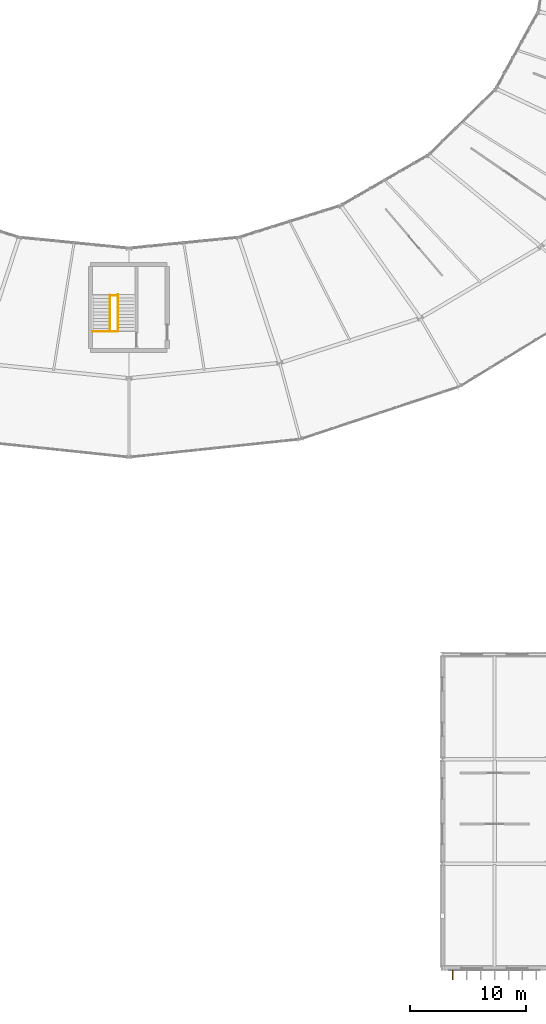
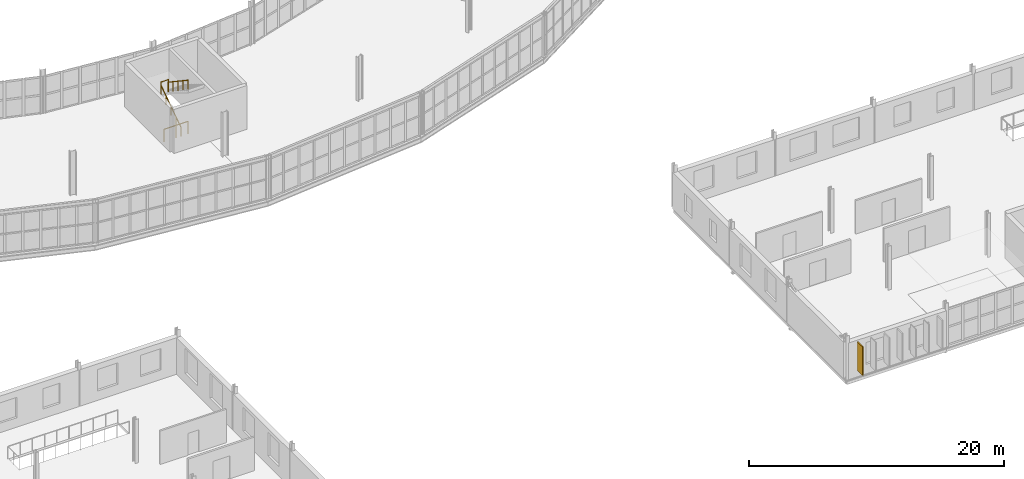
# One storey, part 153 of 161: 4 railings, 1 shading device.
"""IFC4 building model written with IfcOpenShell, lengths in metres."""

from ifc_helpers import new_model, si_unit, direction, frame, origin, origin_2d, place, context, subcontext, project, spatial, rectangle, circle, extrude, material, layer, layer_set, type_object, element, save


model = new_model("IFC4")

# Units and contexts
model_context = context("Model", 3, precision=1e-05, world=origin(), true_north=direction((0.0, 1.0)))
body_context = subcontext(model_context, "Body", "Model", "MODEL_VIEW")
ifc_project = project(units=[si_unit("LENGTHUNIT", "METRE"), si_unit("AREAUNIT", "SQUARE_METRE"), si_unit("VOLUMEUNIT", "CUBIC_METRE"), si_unit("PLANEANGLEUNIT", "RADIAN"), si_unit("MASSUNIT", "GRAM", prefix="KILO")], contexts=[model_context])

# Site, building, storey
site_placement = place(None, origin())
site = spatial("IfcSite", under=ifc_project, at=site_placement, CompositionType="ELEMENT")
building_placement = place(site_placement, origin())
building = spatial("IfcBuilding", under=site, at=building_placement, Name="Kildeholm Park Wholesale Market", CompositionType="ELEMENT")
storey_placement = place(building_placement, frame((0.0, 0.0, 5.39990234375)))
storey = spatial("IfcBuildingStorey", under=building, at=storey_placement, Name="L01", CompositionType="ELEMENT", Elevation=5.39990234375)

# Shading device
ifc_material_1 = material(Name="Glazed ceramic and anodised aluminium brise-soleil", Category="aluminium")
ifc_layer = layer(ifc_material_1, 0.090087890625)
ifc_layer_set = layer_set([ifc_layer], Name="Glazed ceramic and anodised aluminium brise-soleil")
shading_device_type = type_object("IfcShadingDeviceType", Name="Brise-soleil solar fin SH-FIN2 850x90", PredefinedType="USERDEFINED", material=ifc_layer_set)
shading_device_placement = place(storey_placement, frame((126.89990234375, -0.60498046875, 0.60009765625), z_axis=(0.0, 0.0, 1.0), x_axis=(0.0, -1.0, 0.0)))
element("IfcShadingDevice", 1, at=shading_device_placement, inside=storey, type_object=shading_device_type, Name="Brise-soleil fin V5E-L01-S01-01.1 SHD-0133", ObjectType="SOLAR FIN", PredefinedType="USERDEFINED", context=body_context, shape_type="SweptSolid", body=[
    extrude(rectangle(XDim=0.85009765625, YDim=0.090087890625, at=origin_2d()), origin(), (0.0, 0.0, 1.0), 2.75),
])

# Railings
ifc_material_2 = material(Name="Painted steel and laminated glass balustrade", Category="steel")
railing_type_1 = type_object("IfcRailingType", Name="Interior gallery and stairwell guard GR-IN1 1200 mm", PredefinedType="GUARDRAIL", material=ifc_material_2)
railing_1_placement = place(storey_placement, frame((95.860107421875, 54.830078125, 0.0)))
element("IfcRailing", 2, at=railing_1_placement, inside=storey, type_object=railing_type_1, Name="Stair C10 upper floor well guard L01 RLG-0115", PredefinedType="GUARDRAIL", context=body_context, shape_type="SweptSolid", body=[
    extrude(circle(Radius=0.02392578125, at=origin_2d()), frame((0.0, 0.0, 1.17578125), z_axis=(1.0, 0.0, 0.0), x_axis=(0.0, 1.0, 0.0)), (0.0, 0.0, 1.0), 2.14990234375),
    extrude(circle(Radius=0.02099609375, at=origin_2d()), origin(), (0.0, 0.0, 1.0), 1.15185546875),
    extrude(circle(Radius=0.02099609375, at=origin_2d()), frame((1.074951171875, 0.0, 0.0)), (0.0, 0.0, 1.0), 1.15185546875),
    extrude(circle(Radius=0.02099609375, at=origin_2d()), frame((2.14990234375, 0.0, 0.0)), (0.0, 0.0, 1.0), 1.15185546875),
])
railing_2_placement = place(storey_placement, frame((97.360107421875, 57.945068359375, 2.10009765625)))
element("IfcRailing", 3, at=railing_2_placement, inside=storey, type_object=railing_type_1, Name="Stair C10 half-landing well guard L01 RLG-0118", PredefinedType="GUARDRAIL", context=body_context, shape_type="SweptSolid", body=[
    extrude(circle(Radius=0.02392578125, at=origin_2d()), frame((0.0, 0.0, 1.17578125), z_axis=(1.0, 0.0, 0.0), x_axis=(0.0, 1.0, 0.0)), (0.0, 0.0, 1.0), 0.68994140625),
    extrude(circle(Radius=0.02099609375, at=origin_2d()), origin(), (0.0, 0.0, 1.0), 1.15185546875),
    extrude(circle(Radius=0.02099609375, at=origin_2d()), frame((0.68994140625, 0.0, 0.0)), (0.0, 0.0, 1.0), 1.15185546875),
])
ifc_material_3 = material(Name="Stainless steel AISI 316 handrail", Category="steel")
railing_type_2 = type_object("IfcRailingType", Name="Stair flight handrail HR-IN1 900 mm", PredefinedType="HANDRAIL", material=ifc_material_3)
railing_3_placement = place(storey_placement, frame((97.360107421875, 54.820068359375, 0.0)))
element("IfcRailing", 4, at=railing_3_placement, inside=storey, type_object=railing_type_2, Name="Stair C10 flight 1 handrail L01 RLG-0120", PredefinedType="HANDRAIL", context=body_context, shape_type="SweptSolid", body=[
    extrude(circle(Radius=0.02392578125, at=origin_2d()), frame((0.0, 0.0, 0.8759765625), z_axis=(0.0, 0.830813955726, 0.556550241192), x_axis=(-1.0, 0.0, 0.0)), (0.0, 0.0, 1.0), 3.7734375),
    extrude(circle(Radius=0.02099609375, at=origin_2d()), origin(), (0.0, 0.0, 1.0), 0.851806640625),
    extrude(circle(Radius=0.02099609375, at=origin_2d()), frame((0.0, 0.78369140625, 0.52490234375)), (0.0, 0.0, 1.0), 0.851806640625),
    extrude(circle(Radius=0.02099609375, at=origin_2d()), frame((0.0, 1.5673828125, 1.050048828125)), (0.0, 0.0, 1.0), 0.851806640625),
    extrude(circle(Radius=0.02099609375, at=origin_2d()), frame((0.0, 2.351318359375, 1.5751953125)), (0.0, 0.0, 1.0), 0.851806640625),
    extrude(circle(Radius=0.02099609375, at=origin_2d()), frame((0.0, 3.135009765625, 2.10009765625)), (0.0, 0.0, 1.0), 0.851806640625),
])
railing_4_placement = place(storey_placement, frame((98.050048828125, 58.014892578125, 2.10009765625)))
element("IfcRailing", 5, at=railing_4_placement, inside=storey, type_object=railing_type_2, Name="Stair C10 flight 2 handrail L01 RLG-0121", PredefinedType="HANDRAIL", context=body_context, shape_type="SweptSolid", body=[
    extrude(circle(Radius=0.02392578125, at=origin_2d()), frame((0.0, 0.0, 0.8759765625), z_axis=(0.0, -0.830813955726, 0.556550241192), x_axis=(1.0, 0.0, 0.0)), (0.0, 0.0, 1.0), 3.7734375),
    extrude(circle(Radius=0.02099609375, at=origin_2d()), origin(), (0.0, 0.0, 1.0), 0.851806640625),
    extrude(circle(Radius=0.02099609375, at=origin_2d()), frame((0.0, -0.78369140625, 0.52490234375)), (0.0, 0.0, 1.0), 0.851806640625),
    extrude(circle(Radius=0.02099609375, at=origin_2d()), frame((0.0, -1.5673828125, 1.050048828125)), (0.0, 0.0, 1.0), 0.851806640625),
    extrude(circle(Radius=0.02099609375, at=origin_2d()), frame((0.0, -2.351318359375, 1.5751953125)), (0.0, 0.0, 1.0), 0.851806640625),
    extrude(circle(Radius=0.02099609375, at=origin_2d()), frame((0.0, -3.135009765625, 2.10009765625)), (0.0, 0.0, 1.0), 0.851806640625),
])

save(model, "model.ifc")
